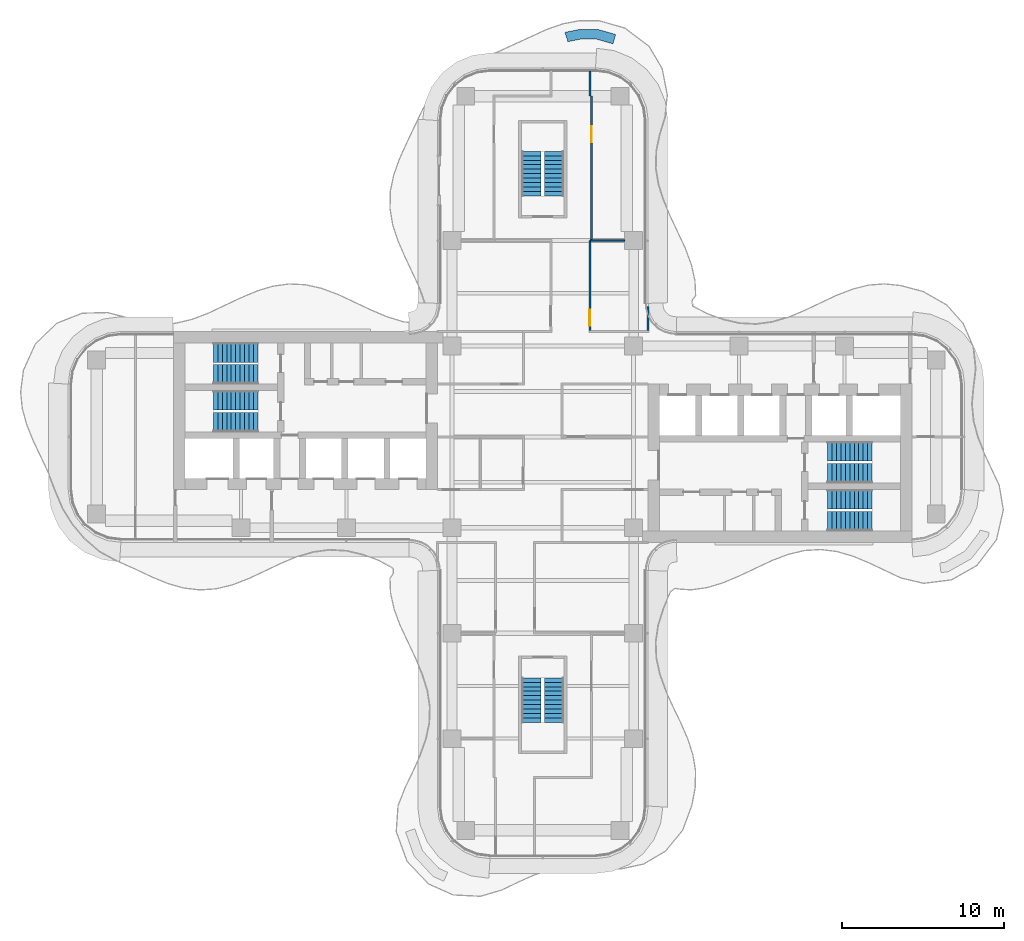
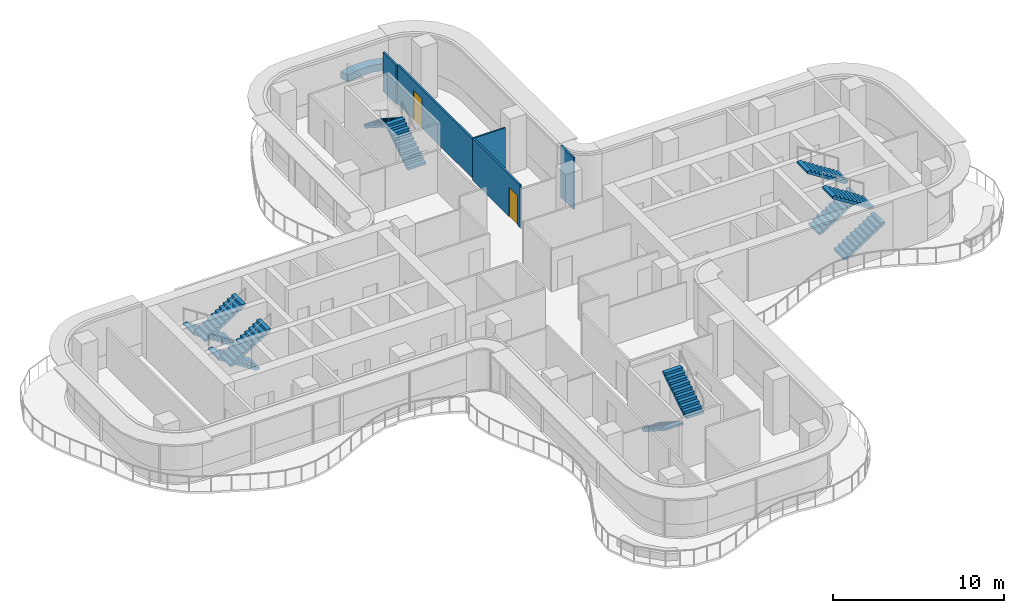
# One storey, part 15 of 17: 12 stair flights, 6 walls, 2 doors, 2 openings, 6 elements without a shape of their own.
"""IFC4 building model written with IfcOpenShell, lengths in metres."""

import ifcopenshell
import ifcopenshell.guid

model = None  # the IFC model being written
_history = None  # IfcOwnerHistory: only IFC2X3 demands one
_inside = {}  # id of a spatial element -> (the spatial element, [elements in it])
_under = {}  # id of a project, library or spatial element -> (it, [spatial elements below it])
_declared = {}  # id of a project -> (the project, [libraries it declares])
_typed = {}  # id of a type object -> (the type object, [elements of that type])
_made_of = {}  # id of a material, layer set ... -> (it, [elements and type objects made of it])


def new_model(schema):
    """Start an empty IFC model of exactly this schema.

    Asked for "IFC4X3", IfcOpenShell would pick the latest addendum, in which some entities
    have other attributes; the version numbers below select the first issue.
    IFC2X3 requires an IfcOwnerHistory on every rooted entity: one is made here for all.
    """
    global model, _history
    if schema == "IFC4X3":
        model = ifcopenshell.file(schema_version=(4, 3, 0, 0))
    else:
        model = ifcopenshell.file(schema=schema)
    _inside.clear()
    _under.clear()
    _declared.clear()
    _typed.clear()
    _made_of.clear()
    _history = None
    if model.schema == "IFC2X3":
        org = make("IfcOrganization", Name="unknown")
        user = make(
            "IfcPersonAndOrganization",
            ThePerson=make("IfcPerson", FamilyName="unknown"),
            TheOrganization=org,
        )
        app = make(
            "IfcApplication",
            ApplicationDeveloper=org,
            Version="unknown",
            ApplicationFullName="unknown",
            ApplicationIdentifier="unknown",
        )
        _history = make(
            "IfcOwnerHistory",
            OwningUser=user,
            OwningApplication=app,
            ChangeAction="ADDED",
            CreationDate=0,
        )
    return model


def make(cls, **values):
    """One entity of the class cls with the attributes given. An attribute that is None is left unset."""
    return model.create_entity(
        cls, **{name: value for name, value in values.items() if value is not None}
    )


def rooted(cls, **values):
    """An entity with a GlobalId (a new one), such as an element, a storey or a relation."""
    return make(cls, GlobalId=ifcopenshell.guid.new(), OwnerHistory=_history, **values)


def si_unit(unit_type, name, prefix=None):
    """IfcSIUnit, for example si_unit("LENGTHUNIT", "METRE", prefix="MILLI")."""
    return make("IfcSIUnit", UnitType=unit_type, Prefix=prefix, Name=name)


def assignment(units):
    """IfcUnitAssignment: the units of a project."""
    return None if units is None else make("IfcUnitAssignment", Units=units)


def point(xyz):
    """IfcCartesianPoint."""
    return None if xyz is None else make("IfcCartesianPoint", Coordinates=xyz)


def direction(xyz):
    """IfcDirection."""
    return None if xyz is None else make("IfcDirection", DirectionRatios=xyz)


def frame(location, z_axis=None, x_axis=None):
    """IfcAxis2Placement3D, a coordinate frame: its origin and axes. An axis left out is left unset."""
    return make(
        "IfcAxis2Placement3D",
        Location=point(location),
        Axis=direction(z_axis),
        RefDirection=direction(x_axis),
    )


def frame_2d(location, x_axis=None):
    """IfcAxis2Placement2D, a coordinate frame in the plane: its origin and x axis."""
    return make(
        "IfcAxis2Placement2D", Location=point(location), RefDirection=direction(x_axis)
    )


def origin():
    """The frame at (0, 0, 0) with its axes left unset."""
    return frame((0.0, 0.0, 0.0))


def place(relative_to, where):
    """IfcLocalPlacement: puts the frame where relative to a parent placement (None: the world)."""
    return make(
        "IfcLocalPlacement", PlacementRelTo=relative_to, RelativePlacement=where
    )


def context(
    kind, dimensions, precision=None, world=None, true_north=None, identifier=None
):
    """IfcGeometricRepresentationContext, for example the 3D "Model" context."""
    return make(
        "IfcGeometricRepresentationContext",
        ContextIdentifier=identifier,
        ContextType=kind,
        CoordinateSpaceDimension=dimensions,
        Precision=precision,
        WorldCoordinateSystem=world,
        TrueNorth=true_north,
    )


def subcontext(parent, identifier, kind, view, scale=None):
    """IfcGeometricRepresentationSubContext, for example "Body" below "Model"."""
    return make(
        "IfcGeometricRepresentationSubContext",
        ContextIdentifier=identifier,
        ContextType=kind,
        ParentContext=parent,
        TargetScale=scale,
        TargetView=view,
    )


def project(units=None, contexts=None):
    """IfcProject with its units and contexts."""
    return rooted(
        "IfcProject",
        Name="project",
        RepresentationContexts=contexts,
        UnitsInContext=assignment(units),
    )


def spatial(cls, under=None, at=None, **own):
    """A site, building, storey or space (cls), placed at a placement, below another one or the project."""
    s = rooted(cls, ObjectPlacement=at, **own)
    if under is not None:
        _under.setdefault(under.id(), (under, []))[1].append(s)
    return s


def polyline(points):
    """IfcPolyline through the points."""
    return make("IfcPolyline", Points=[point(p) for p in points])


def profile(cls, at=None, kind="AREA", **sizes):
    """A parametric profile (cls). Its sizes go by their IFC names, for example OverallWidth=200.0."""
    return make(cls, ProfileType=kind, Position=at, **sizes)


def rectangle(**sizes):
    """IfcRectangleProfileDef."""
    return profile("IfcRectangleProfileDef", **sizes)


def outline(outer, holes=None, kind="AREA"):
    """IfcArbitraryClosedProfileDef: a profile drawn as a closed curve; with holes, ...WithVoids."""
    if holes is None:
        return make("IfcArbitraryClosedProfileDef", ProfileType=kind, OuterCurve=outer)
    return make(
        "IfcArbitraryProfileDefWithVoids",
        ProfileType=kind,
        OuterCurve=outer,
        InnerCurves=holes,
    )


def extrude(swept, where, along, depth):
    """IfcExtrudedAreaSolid: the profile swept, set in the frame where, extruded along a direction by depth."""
    return make(
        "IfcExtrudedAreaSolid",
        SweptArea=swept,
        Position=where,
        ExtrudedDirection=direction(along),
        Depth=depth,
    )


def shape(context_of_items, identifier, shape_type, items):
    """IfcShapeRepresentation: the items that make up one representation, for example the "Body"."""
    return make(
        "IfcShapeRepresentation",
        ContextOfItems=context_of_items,
        RepresentationIdentifier=identifier,
        RepresentationType=shape_type,
        Items=items,
    )


def source(mapping_origin, context_of_items, identifier, shape_type, items):
    """IfcRepresentationMap: a shape defined once, which mapped items show again and again."""
    return make(
        "IfcRepresentationMap",
        MappingOrigin=mapping_origin,
        MappedRepresentation=shape(context_of_items, identifier, shape_type, items),
    )


def transform(
    local_origin,
    x_axis=None,
    y_axis=None,
    z_axis=None,
    scale=None,
    scale2=None,
    scale3=None,
    uniform=True,
):
    """IfcCartesianTransformationOperator3D, or its non-uniform kind. x_axis, y_axis, z_axis: its Axis1, 2, 3."""
    if uniform:
        return make(
            "IfcCartesianTransformationOperator3D",
            Axis1=direction(x_axis),
            Axis2=direction(y_axis),
            LocalOrigin=point(local_origin),
            Scale=scale,
            Axis3=direction(z_axis),
        )
    return make(
        "IfcCartesianTransformationOperator3DnonUniform",
        Axis1=direction(x_axis),
        Axis2=direction(y_axis),
        LocalOrigin=point(local_origin),
        Scale=scale,
        Axis3=direction(z_axis),
        Scale2=scale2,
        Scale3=scale3,
    )


def mapped(mapping_source, mapping_target):
    """IfcMappedItem: shows the shape of a source again, moved by a transform."""
    return make(
        "IfcMappedItem", MappingSource=mapping_source, MappingTarget=mapping_target
    )


def material(Name=None, Category=None):
    """IfcMaterial."""
    return make("IfcMaterial", Name=Name, Category=Category)


def layer(
    of_material, thickness, ventilated=None, Name=None, Category=None, Priority=None
):
    """IfcMaterialLayer: one layer of a wall or slab, of a material (None: an air gap)."""
    return make(
        "IfcMaterialLayer",
        Material=of_material,
        LayerThickness=thickness,
        IsVentilated=ventilated,
        Name=Name,
        Category=Category,
        Priority=Priority,
    )


def layer_set(layers, Name=None):
    """IfcMaterialLayerSet."""
    return make("IfcMaterialLayerSet", MaterialLayers=layers, LayerSetName=Name)


def made_of(thing, what):
    """Note that an element or type object is made of a material, layer set ...; save() writes the relation."""
    if what is not None:
        _made_of.setdefault(what.id(), (what, []))[1].append(thing)
    return thing


def type_object(cls, material=None, **own):
    """A type object (cls), such as IfcWallType, which elements share."""
    return made_of(rooted(cls, **own), material)


def element(
    cls,
    number,
    at=None,
    inside=None,
    cuts=None,
    type_object=None,
    material=None,
    context=None,
    identifier="Body",
    shape_type=None,
    held_by="IfcProductDefinitionShape",
    body=None,
    shapes=None,
    **own,
):
    """One element of the class cls, such as IfcWall. Its Tag is "e" and its number.

    at: its placement. inside: the storey or other place that contains it. cuts: it is an
    opening in that element (IfcRelVoidsElement). A single representation is given by context,
    identifier, shape_type and body (its items); several are given by shapes. held_by: the class
    of the entity that holds the representations. save() writes the other relations.
    """
    e = rooted(cls, Tag="e%d" % number, ObjectPlacement=at, **own)
    if body is not None:
        shapes = [shape(context, identifier, shape_type, body)]
    if shapes is not None:
        e.Representation = make(held_by, Representations=shapes)
    if inside is not None:
        _inside.setdefault(inside.id(), (inside, []))[1].append(e)
    if cuts is not None:
        rooted(
            "IfcRelVoidsElement", RelatingBuildingElement=cuts, RelatedOpeningElement=e
        )
    if type_object is not None:
        _typed.setdefault(type_object.id(), (type_object, []))[1].append(e)
    return made_of(e, material)


def fill(opening, filler):
    """IfcRelFillsElement: the door or window that sits in an opening."""
    return rooted(
        "IfcRelFillsElement",
        RelatingOpeningElement=opening,
        RelatedBuildingElement=filler,
    )


def aggregate(whole, parts):
    """IfcRelAggregates: a whole, such as a stair, and the parts it consists of."""
    return rooted("IfcRelAggregates", RelatingObject=whole, RelatedObjects=parts)


def save(model, path):
    """Write the relations noted so far, then the file.

    IfcRelAggregates (storeys below a building ...), IfcRelContainedInSpatialStructure (elements
    in a storey), IfcRelDefinesByType, IfcRelAssociatesMaterial and IfcRelDeclares: one each for
    every whole, place, type object, material and project.
    """
    for whole, parts in _under.values():
        aggregate(whole, parts)
    for where, things in _inside.values():
        rooted(
            "IfcRelContainedInSpatialStructure",
            RelatedElements=things,
            RelatingStructure=where,
        )
    for kind, things in _typed.values():
        rooted("IfcRelDefinesByType", RelatedObjects=things, RelatingType=kind)
    for what, things in _made_of.values():
        rooted("IfcRelAssociatesMaterial", RelatedObjects=things, RelatingMaterial=what)
    for by, libraries in _declared.values():
        rooted("IfcRelDeclares", RelatingContext=by, RelatedDefinitions=libraries)
    model.write(path)


model = new_model("IFC4")

# Units and contexts
model_context = context("Model", 3, precision=1e-05, world=origin(), true_north=direction((0.0, 1.0)))
body_context = subcontext(model_context, "Body", "Model", "MODEL_VIEW")
ifc_project = project(units=[si_unit("LENGTHUNIT", "METRE"), si_unit("AREAUNIT", "SQUARE_METRE"), si_unit("VOLUMEUNIT", "CUBIC_METRE"), si_unit("PLANEANGLEUNIT", "RADIAN"), si_unit("MASSUNIT", "GRAM", prefix="KILO")], contexts=[model_context])

# Site, building, storey
site_placement = place(None, origin())
site = spatial("IfcSite", under=ifc_project, at=site_placement, CompositionType="ELEMENT")
building_placement = place(site_placement, origin())
building = spatial("IfcBuilding", under=site, at=building_placement, Name="Trellis Farm Tower", CompositionType="ELEMENT")
storey_placement = place(building_placement, frame((0.0, 0.0, 232.39990234375)))
storey = spatial("IfcBuildingStorey", under=building, at=storey_placement, Name="L51", CompositionType="ELEMENT", Elevation=232.39990234375)

# Wall
ifc_material_1 = material(Name="Sandstone faced masonry planter", Category="masonry")
ifc_layer_1 = layer(ifc_material_1, 0.60009765625)
ifc_layer_set_1 = layer_set([ifc_layer_1], Name="PLANTER BED 600")
wall_type_1 = type_object("IfcWallType", Name="PLANTER BED 600", PredefinedType="USERDEFINED", material=ifc_layer_set_1)
placement = place(storey_placement, origin())
element("IfcWall", 1, at=placement, inside=storey, type_object=wall_type_1, Name="PLANTER bed", ObjectType="PLANTER", PredefinedType="USERDEFINED", context=body_context, shape_type="SweptSolid", body=[
    extrude(outline(polyline([(2.313232421875, 25.120361328125), (3.379150390625, 25.119140625), (4.492431640625, 24.80224609375), (4.328125, 24.22509765625), (3.294921875, 24.519287109375), (2.36962890625, 24.520263671875), (1.533935546875, 24.36083984375), (1.510498046875, 24.50927734375), (1.364013671875, 24.93359375), (2.313232421875, 25.120361328125)])), origin(), (0.0, 0.0, 1.0), 0.5),
])

# Wall, opening, door
ifc_material_2 = material(Name="Plasterboard on steel studs, mineral wool", Category="steel")
ifc_layer_2 = layer(ifc_material_2, 0.125)
ifc_layer_set_2 = layer_set([ifc_layer_2], Name="PARTITION 125 STUD EI 60")
wall_type_2 = type_object("IfcWallType", Name="PARTITION 125 STUD EI 60", PredefinedType="PARTITIONING", material=ifc_layer_set_2)
shared_shape_1 = source(origin(), body_context, "Body", "SweptSolid", [
    extrude(rectangle(XDim=5.53759765625, YDim=0.125, at=frame_2d((2.768798828125, 0.0))), origin(), (0.0, 0.0, 1.0), 2.99658203125),
])
wall_2_placement = place(storey_placement, frame((2.89990234375, 12.10009765625, 0.0), z_axis=(0.0, 0.0, 1.0), x_axis=(0.0, -1.0, 0.0)))
wall_2 = element("IfcWall", 2, at=wall_2_placement, inside=storey, type_object=wall_type_2, Name="Partition PW1", PredefinedType="PARTITIONING", context=body_context, shape_type="MappedRepresentation", body=[
    mapped(shared_shape_1, transform((0.0, 0.0, 0.0))),
])
shared_shape_2 = source(origin(), body_context, "Body", "SweptSolid", [
    extrude(rectangle(XDim=1.0, YDim=2.10009765625, at=frame_2d((0.5, 1.050048828125))), frame((0.0, 0.072509765625, 0.0), z_axis=(0.0, -1.0, 0.0), x_axis=(1.0, 0.0, 0.0)), (0.0, 0.0, 1.0), 0.14501953125),
])
opening_1_placement = place(wall_2_placement, frame((4.25, 0.0, 0.0)))
opening_1 = element("IfcOpeningElement", 3, at=opening_1_placement, cuts=wall_2, Name="Opening D109", PredefinedType="OPENING", context=body_context, shape_type="MappedRepresentation", body=[
    mapped(shared_shape_2, transform((0.0, 0.0, 0.0))),
])
ifc_material_3 = material(Name="Fire-rated timber door leaf in a hollow metal frame", Category="wood")
door_type = type_object("IfcDoorType", Name="DOOR 1000x2100 FD30S", OperationType="NOTDEFINED", PredefinedType="DOOR", material=ifc_material_3)
shared_shape_3 = source(origin(), body_context, "Body", "SweptSolid", [
    extrude(rectangle(XDim=1.0, YDim=2.10009765625, at=frame_2d((0.5, 1.050048828125))), frame((0.0, 0.02490234375, 0.0), z_axis=(0.0, -1.0, 0.0), x_axis=(1.0, 0.0, 0.0)), (0.0, 0.0, 1.0), 0.050048828125),
])
door_1_placement = place(opening_1_placement, origin())
door_1 = element("IfcDoor", 4, at=door_1_placement, inside=storey, type_object=door_type, Name="Door D109", OperationType="SINGLE_SWING_RIGHT", OverallHeight=2.10009765625, OverallWidth=1.0, PredefinedType="DOOR", context=body_context, shape_type="MappedRepresentation", body=[
    mapped(shared_shape_3, transform((0.0, 0.0, 0.0))),
])
fill(opening_1, door_1)

# Walls
shared_shape_4 = source(origin(), body_context, "Body", "SweptSolid", [
    extrude(rectangle(XDim=1.468994140625, YDim=0.125, at=frame_2d((0.734375, 0.0))), origin(), (0.0, 0.0, 1.0), 3.7001953125),
])
wall_3_placement = place(storey_placement, frame((6.5, 6.5625, 0.0), z_axis=(0.0, 0.0, 1.0), x_axis=(0.0, 1.0, 0.0)))
element("IfcWall", 5, at=wall_3_placement, inside=storey, type_object=wall_type_2, Name="Partition PW1", PredefinedType="PARTITIONING", context=body_context, shape_type="MappedRepresentation", body=[
    mapped(shared_shape_4, transform((0.0, 0.0, 0.0))),
])
shared_shape_5 = source(origin(), body_context, "Body", "SweptSolid", [
    extrude(rectangle(XDim=1.550048828125, YDim=0.125, at=frame_2d((0.77490234375, 0.0))), origin(), (0.0, 0.0, 1.0), 2.780029296875),
])
wall_4_placement = place(storey_placement, frame((2.89990234375, 22.550048828125, 0.0), z_axis=(0.0, 0.0, 1.0), x_axis=(0.0, -1.0, 0.0)))
element("IfcWall", 6, at=wall_4_placement, inside=storey, type_object=wall_type_2, Name="Partition PW1", PredefinedType="PARTITIONING", context=body_context, shape_type="MappedRepresentation", body=[
    mapped(shared_shape_5, transform((0.0, 0.0, 0.0))),
])
ifc_material_4 = material(Name="Plasterboard on steel studs", Category="steel")
ifc_layer_3 = layer(ifc_material_4, 0.10009765625)
ifc_layer_set_3 = layer_set([ifc_layer_3], Name="PARTITION 100 STUD EI 30")
wall_type_3 = type_object("IfcWallType", Name="PARTITION 100 STUD EI 30", PredefinedType="PARTITIONING", material=ifc_layer_set_3)
shared_shape_6 = source(origin(), body_context, "Body", "SweptSolid", [
    extrude(rectangle(XDim=2.112548828125, YDim=0.10009765625, at=frame_2d((1.05615234375, 0.0))), origin(), (0.0, 0.0, 1.0), 2.99658203125),
])
wall_5_placement = place(storey_placement, frame((2.9375, 12.10009765625, 0.0), z_axis=(0.0, 0.0, 1.0), x_axis=(1.0, 0.0, 0.0)))
element("IfcWall", 7, at=wall_5_placement, inside=storey, type_object=wall_type_3, Name="Partition PW2", PredefinedType="PARTITIONING", context=body_context, shape_type="MappedRepresentation", body=[
    mapped(shared_shape_6, transform((0.0, 0.0, 0.0))),
])

# Wall, opening, door
shared_shape_7 = source(origin(), body_context, "Body", "SweptSolid", [
    extrude(rectangle(XDim=8.85009765625, YDim=0.125, at=frame_2d((4.425048828125, 0.0))), origin(), (0.0, 0.0, 1.0), 2.780029296875),
])
wall_6_placement = place(storey_placement, frame((3.0, 21.0, 0.0), z_axis=(0.0, 0.0, 1.0), x_axis=(0.0, -1.0, 0.0)))
wall_6 = element("IfcWall", 8, at=wall_6_placement, inside=storey, type_object=wall_type_2, Name="Partition PW1", PredefinedType="PARTITIONING", context=body_context, shape_type="MappedRepresentation", body=[
    mapped(shared_shape_7, transform((0.0, 0.0, 0.0))),
])
opening_2_placement = place(wall_6_placement, frame((1.85009765625, 0.0, 0.0)))
opening_2 = element("IfcOpeningElement", 9, at=opening_2_placement, cuts=wall_6, Name="Opening D111", PredefinedType="OPENING", context=body_context, shape_type="MappedRepresentation", body=[
    mapped(shared_shape_2, transform((0.0, 0.0, 0.0))),
])
door_2_placement = place(opening_2_placement, origin())
door_2 = element("IfcDoor", 10, at=door_2_placement, inside=storey, type_object=door_type, Name="Door D111", OperationType="SINGLE_SWING_LEFT", OverallHeight=2.10009765625, OverallWidth=1.0, PredefinedType="DOOR", context=body_context, shape_type="MappedRepresentation", body=[
    mapped(shared_shape_3, transform((0.0, 0.0, 0.0))),
])
fill(opening_2, door_2)

# Stair, stair flights
ifc_material_5 = material(Name="Concrete C50/60", Category="concrete")
stair_type = type_object("IfcStairType", Name="CORE EXIT STAIR 22 RISERS 177 MM", PredefinedType="HALF_TURN_STAIR", material=ifc_material_5)
stair_1 = element("IfcStair", 11, at=placement, inside=storey, type_object=stair_type, Name="Exit stair N", PredefinedType="HALF_TURN_STAIR")
stair_flight_type = type_object("IfcStairFlightType", Name="STAIR FLIGHT 11 RISERS 177 MM", PredefinedType="STRAIGHT", material=ifc_material_5)
shared_shape_8 = source(origin(), body_context, "Body", "SweptSolid", [
    extrude(outline(polyline([(0.0, 0.0), (0.0, 0.17724609375), (0.27490234375, 0.17724609375), (0.27490234375, 0.3544921875), (0.550048828125, 0.3544921875), (0.550048828125, 0.53173828125), (0.824951171875, 0.53173828125), (0.824951171875, 0.708984375), (1.10009765625, 0.708984375), (1.10009765625, 0.886474609375), (1.375, 0.886474609375), (1.375, 1.063720703125), (1.64990234375, 1.063720703125), (1.64990234375, 1.240966796875), (1.925048828125, 1.240966796875), (1.925048828125, 1.418212890625), (2.199951171875, 1.418212890625), (2.199951171875, 1.595458984375), (2.47509765625, 1.595458984375), (2.47509765625, 1.772705078125), (2.75, 1.772705078125), (2.75, 1.949951171875), (2.75, 1.6181640625), (0.23974609375, 0.0), (0.0, 0.0)])), frame((0.0, 0.60009765625, 0.0), z_axis=(0.0, -1.0, 0.0), x_axis=(1.0, 0.0, 0.0)), (0.0, 0.0, 1.0), 1.199951171875),
])
stair_flight_1_placement = place(storey_placement, frame((0.699951171875, 14.85009765625, 0.0), z_axis=(0.0, 0.0, 1.0), x_axis=(0.0, 1.0, 0.0)))
stair_flight_1 = element("IfcStairFlight", 12, at=stair_flight_1_placement, type_object=stair_flight_type, Name="STN flight 1", NumberOfRisers=11, NumberOfTreads=10, PredefinedType="STRAIGHT", RiserHeight=0.177272727, TreadLength=0.275, context=body_context, shape_type="MappedRepresentation", body=[
    mapped(shared_shape_8, transform((0.0, 0.0, 0.0))),
])
stair_flight_2_placement = place(storey_placement, frame((-0.699951171875, 17.60009765625, 1.9501953125), z_axis=(0.0, 0.0, 1.0), x_axis=(0.0, -1.0, 0.0)))
stair_flight_2 = element("IfcStairFlight", 13, at=stair_flight_2_placement, type_object=stair_flight_type, Name="STN flight 2", NumberOfRisers=11, NumberOfTreads=10, PredefinedType="STRAIGHT", RiserHeight=0.177272727, TreadLength=0.275, context=body_context, shape_type="MappedRepresentation", body=[
    mapped(shared_shape_8, transform((0.0, 0.0, 0.0))),
])
aggregate(stair_1, [stair_flight_1, stair_flight_2])

stair_2 = element("IfcStair", 14, at=placement, inside=storey, type_object=stair_type, Name="Exit stair S", PredefinedType="HALF_TURN_STAIR")
stair_flight_3_placement = place(storey_placement, frame((-0.699951171875, -14.85009765625, 0.0), z_axis=(0.0, 0.0, 1.0), x_axis=(0.0, -1.0, 0.0)))
stair_flight_3 = element("IfcStairFlight", 15, at=stair_flight_3_placement, type_object=stair_flight_type, Name="STS flight 1", NumberOfRisers=11, NumberOfTreads=10, PredefinedType="STRAIGHT", RiserHeight=0.177272727, TreadLength=0.275, context=body_context, shape_type="MappedRepresentation", body=[
    mapped(shared_shape_8, transform((0.0, 0.0, 0.0))),
])
stair_flight_4_placement = place(storey_placement, frame((0.699951171875, -17.60009765625, 1.9501953125), z_axis=(0.0, 0.0, 1.0), x_axis=(0.0, 1.0, 0.0)))
stair_flight_4 = element("IfcStairFlight", 16, at=stair_flight_4_placement, type_object=stair_flight_type, Name="STS flight 2", NumberOfRisers=11, NumberOfTreads=10, PredefinedType="STRAIGHT", RiserHeight=0.177272727, TreadLength=0.275, context=body_context, shape_type="MappedRepresentation", body=[
    mapped(shared_shape_8, transform((0.0, 0.0, 0.0))),
])
aggregate(stair_2, [stair_flight_3, stair_flight_4])

stair_3 = element("IfcStair", 17, at=placement, inside=storey, type_object=stair_type, Name="Exit stair E1", PredefinedType="HALF_TURN_STAIR")
stair_flight_5_placement = place(storey_placement, frame((17.550048828125, -5.199951171875, 0.0), z_axis=(0.0, 0.0, 1.0), x_axis=(1.0, 0.0, 0.0)))
stair_flight_5 = element("IfcStairFlight", 18, at=stair_flight_5_placement, type_object=stair_flight_type, Name="STE1 flight 1", NumberOfRisers=11, NumberOfTreads=10, PredefinedType="STRAIGHT", RiserHeight=0.177272727, TreadLength=0.275, context=body_context, shape_type="MappedRepresentation", body=[
    mapped(shared_shape_8, transform((0.0, 0.0, 0.0))),
])
stair_flight_6_placement = place(storey_placement, frame((20.300048828125, -3.85009765625, 1.9501953125), z_axis=(0.0, 0.0, 1.0), x_axis=(-1.0, 0.0, 0.0)))
stair_flight_6 = element("IfcStairFlight", 19, at=stair_flight_6_placement, type_object=stair_flight_type, Name="STE1 flight 2", NumberOfRisers=11, NumberOfTreads=10, PredefinedType="STRAIGHT", RiserHeight=0.177272727, TreadLength=0.275, context=body_context, shape_type="MappedRepresentation", body=[
    mapped(shared_shape_8, transform((0.0, 0.0, 0.0))),
])
aggregate(stair_3, [stair_flight_5, stair_flight_6])

stair_4 = element("IfcStair", 20, at=placement, inside=storey, type_object=stair_type, Name="Exit stair E2", PredefinedType="HALF_TURN_STAIR")
stair_flight_7_placement = place(storey_placement, frame((17.550048828125, -2.25, 0.0), z_axis=(0.0, 0.0, 1.0), x_axis=(1.0, 0.0, 0.0)))
stair_flight_7 = element("IfcStairFlight", 21, at=stair_flight_7_placement, type_object=stair_flight_type, Name="STE2 flight 1", NumberOfRisers=11, NumberOfTreads=10, PredefinedType="STRAIGHT", RiserHeight=0.177272727, TreadLength=0.275, context=body_context, shape_type="MappedRepresentation", body=[
    mapped(shared_shape_8, transform((0.0, 0.0, 0.0))),
])
stair_flight_8_placement = place(storey_placement, frame((20.300048828125, -0.89990234375, 1.9501953125), z_axis=(0.0, 0.0, 1.0), x_axis=(-1.0, 0.0, 0.0)))
stair_flight_8 = element("IfcStairFlight", 22, at=stair_flight_8_placement, type_object=stair_flight_type, Name="STE2 flight 2", NumberOfRisers=11, NumberOfTreads=10, PredefinedType="STRAIGHT", RiserHeight=0.177272727, TreadLength=0.275, context=body_context, shape_type="MappedRepresentation", body=[
    mapped(shared_shape_8, transform((0.0, 0.0, 0.0))),
])
aggregate(stair_4, [stair_flight_7, stair_flight_8])

stair_5 = element("IfcStair", 23, at=placement, inside=storey, type_object=stair_type, Name="Exit stair W1", PredefinedType="HALF_TURN_STAIR")
stair_flight_9_placement = place(storey_placement, frame((-17.550048828125, 5.199951171875, 0.0), z_axis=(0.0, 0.0, 1.0), x_axis=(-1.0, 0.0, 0.0)))
stair_flight_9 = element("IfcStairFlight", 24, at=stair_flight_9_placement, type_object=stair_flight_type, Name="STW1 flight 1", NumberOfRisers=11, NumberOfTreads=10, PredefinedType="STRAIGHT", RiserHeight=0.177272727, TreadLength=0.275, context=body_context, shape_type="MappedRepresentation", body=[
    mapped(shared_shape_8, transform((0.0, 0.0, 0.0))),
])
stair_flight_10_placement = place(storey_placement, frame((-20.300048828125, 3.85009765625, 1.9501953125), z_axis=(0.0, 0.0, 1.0), x_axis=(1.0, 0.0, 0.0)))
stair_flight_10 = element("IfcStairFlight", 25, at=stair_flight_10_placement, type_object=stair_flight_type, Name="STW1 flight 2", NumberOfRisers=11, NumberOfTreads=10, PredefinedType="STRAIGHT", RiserHeight=0.177272727, TreadLength=0.275, context=body_context, shape_type="MappedRepresentation", body=[
    mapped(shared_shape_8, transform((0.0, 0.0, 0.0))),
])
aggregate(stair_5, [stair_flight_9, stair_flight_10])

stair_6 = element("IfcStair", 26, at=placement, inside=storey, type_object=stair_type, Name="Exit stair W2", PredefinedType="HALF_TURN_STAIR")
stair_flight_11_placement = place(storey_placement, frame((-17.550048828125, 2.25, 0.0), z_axis=(0.0, 0.0, 1.0), x_axis=(-1.0, 0.0, 0.0)))
stair_flight_11 = element("IfcStairFlight", 27, at=stair_flight_11_placement, type_object=stair_flight_type, Name="STW2 flight 1", NumberOfRisers=11, NumberOfTreads=10, PredefinedType="STRAIGHT", RiserHeight=0.177272727, TreadLength=0.275, context=body_context, shape_type="MappedRepresentation", body=[
    mapped(shared_shape_8, transform((0.0, 0.0, 0.0))),
])
stair_flight_12_placement = place(storey_placement, frame((-20.300048828125, 0.89990234375, 1.9501953125), z_axis=(0.0, 0.0, 1.0), x_axis=(1.0, 0.0, 0.0)))
stair_flight_12 = element("IfcStairFlight", 28, at=stair_flight_12_placement, type_object=stair_flight_type, Name="STW2 flight 2", NumberOfRisers=11, NumberOfTreads=10, PredefinedType="STRAIGHT", RiserHeight=0.177272727, TreadLength=0.275, context=body_context, shape_type="MappedRepresentation", body=[
    mapped(shared_shape_8, transform((0.0, 0.0, 0.0))),
])
aggregate(stair_6, [stair_flight_11, stair_flight_12])

save(model, "model.ifc")
